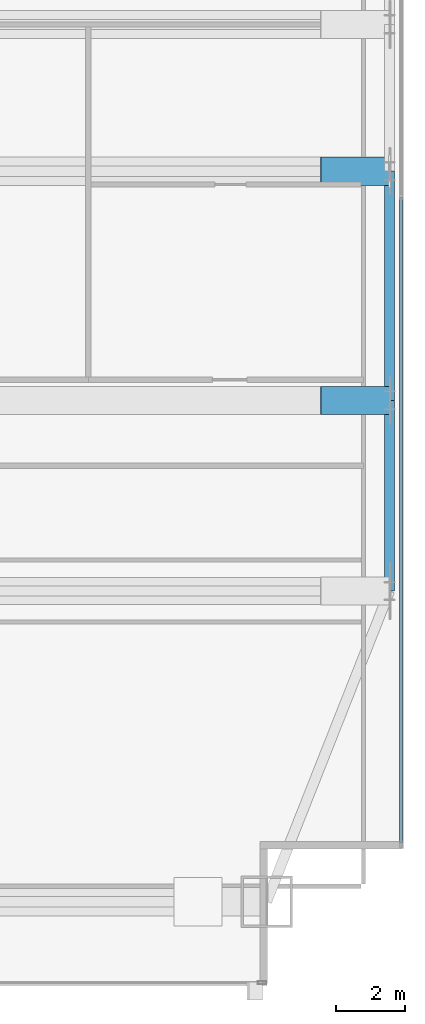
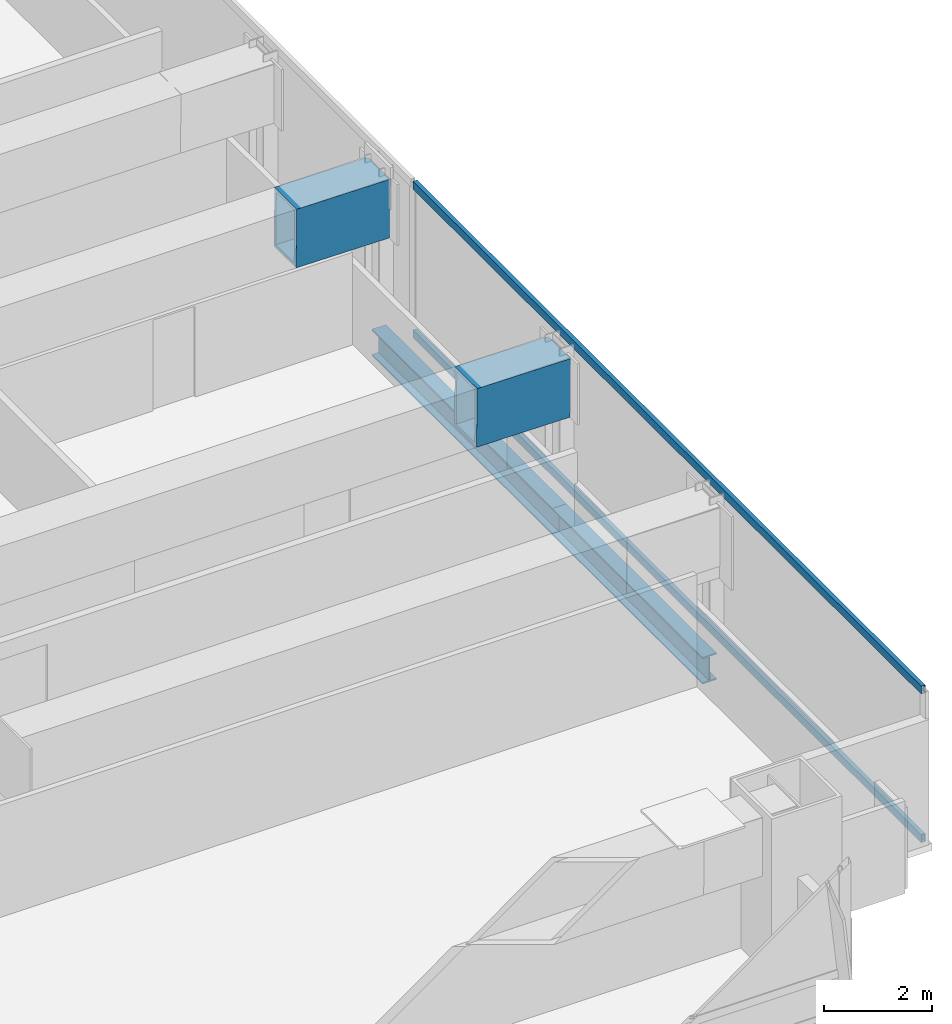
# One storey, part 20 of 30: 4 beams, 2 members, 1 element without a shape of its own.
"""IFC4 building model written with IfcOpenShell, lengths in metres."""

from ifc_helpers import new_model, si_unit, direction, frame, origin, origin_2d, place, context, subcontext, project, spatial, hollow_rectangle, i_section, extrude, material, material_profile, profile_set, type_object, element, aggregate, save


model = new_model("IFC4")

# Units and contexts
model_context = context("Model", 3, precision=1e-05, world=origin(), true_north=direction((0.0, 1.0)))
body_context = subcontext(model_context, "Body", "Model", "MODEL_VIEW")
ifc_project = project(units=[si_unit("LENGTHUNIT", "METRE"), si_unit("AREAUNIT", "SQUARE_METRE"), si_unit("VOLUMEUNIT", "CUBIC_METRE"), si_unit("PLANEANGLEUNIT", "RADIAN"), si_unit("MASSUNIT", "GRAM", prefix="KILO")], contexts=[model_context])

# Site, building, storey
site_placement = place(None, origin())
site = spatial("IfcSite", under=ifc_project, at=site_placement, CompositionType="ELEMENT")
building_placement = place(site_placement, origin())
building = spatial("IfcBuilding", under=site, at=building_placement, Name="Khoronbel Lancet Exchange", CompositionType="ELEMENT")
storey_placement = place(building_placement, frame((0.0, 0.0, 132.60009765625)))
storey = spatial("IfcBuildingStorey", under=building, at=storey_placement, Name="L32", CompositionType="ELEMENT", Elevation=132.60009765625)

# Beams
ifc_material_1 = material(Name="Steel S355", Category="steel")
ifc_material_profile_1 = material_profile(ifc_material_1, i_section(OverallWidth=0.300048828125, OverallDepth=0.60009765625, WebThickness=0.015380859375, FlangeThickness=0.030029296875, at=origin_2d()), Name="HEB 600")
ifc_profile_set_1 = profile_set([ifc_material_profile_1], Name="Steel S355")
beam_type_1 = type_object("IfcBeamType", Name="BM-BSP2", PredefinedType="SPANDREL", material=ifc_profile_set_1)
beam_1_placement = place(storey_placement, frame((69.6298828125, 19.199951171875, -0.460205078125), z_axis=(0.0, 1.0, 0.0), x_axis=(-1.0, 0.0, 0.0)))
element("IfcBeam", 1, at=beam_1_placement, inside=storey, type_object=beam_type_1, Name="Level L32 perimeter spandrel beam SP11", PredefinedType="SPANDREL", context=body_context, shape_type="SweptSolid", body=[
    extrude(i_section(OverallWidth=0.300048828125, OverallDepth=0.60009765625, WebThickness=0.015380859375, FlangeThickness=0.030029296875, at=origin_2d()), origin(), (0.0, 0.0, 1.0), 5.550048828125),
])
beam_2_placement = place(storey_placement, frame((69.6298828125, 24.75, -0.460205078125), z_axis=(0.0, 1.0, 0.0), x_axis=(-1.0, 0.0, 0.0)))
element("IfcBeam", 2, at=beam_2_placement, inside=storey, type_object=beam_type_1, Name="Level L32 perimeter spandrel beam SP12", PredefinedType="SPANDREL", context=body_context, shape_type="SweptSolid", body=[
    extrude(i_section(OverallWidth=0.300048828125, OverallDepth=0.60009765625, WebThickness=0.015380859375, FlangeThickness=0.030029296875, at=origin_2d()), origin(), (0.0, 0.0, 1.0), 6.675048828125),
])
ifc_material_2 = material(Name="Steel S460", Category="steel")
ifc_material_profile_2 = material_profile(ifc_material_2, hollow_rectangle(XDim=0.820068359375, YDim=1.320068359375, WallThickness=0.070068359375, at=origin_2d()), Name="BOX 820x1320x70")
ifc_profile_set_2 = profile_set([ifc_material_profile_2], Name="Steel S460")
beam_type_2 = type_object("IfcBeamType", Name="BM-TG4", PredefinedType="USERDEFINED", material=ifc_profile_set_2)
for number, where, z_axis, x_axis, name in (
    (3, (69.6298828125, 24.75, 2.760009765625), (-0.999951120325, 0.0, 0.009887212005), (0.0, -1.0, 0.0), "Setback transfer knee-brace girder L32-EC-2"),
    (4, (69.6298828125, 31.425048828125, 2.760009765625), (-0.999951120325, 0.0, 0.009887212005), (0.0, -1.0, 0.0), "Setback transfer knee-brace girder L32-EC-M"),
):
    element("IfcBeam", number, at=place(storey_placement, frame(where, z_axis=z_axis, x_axis=x_axis)), inside=storey, type_object=beam_type_2, Name=name, ObjectType="TRANSFER GIRDER", PredefinedType="USERDEFINED", context=body_context, shape_type="SweptSolid", body=[
        extrude(hollow_rectangle(XDim=0.820068359375, YDim=1.320068359375, WallThickness=0.070068359375, at=origin_2d()), origin(), (0.0, 0.0, 1.0), 2.0),
    ])

# Curtain wall, members
ifc_material_3 = material(Name="Low-E Solar Control Insulating Glass", Category="glass")
curtain_wall_type = type_object("IfcCurtainWallType", Name="CW-4", PredefinedType="NOTDEFINED", material=ifc_material_3)
curtain_wall_placement = place(storey_placement, origin())
curtain_wall = element("IfcCurtainWall", 5, at=curtain_wall_placement, inside=storey, type_object=curtain_wall_type, Name="Unitised curtain wall CW-L32-E09", PredefinedType="NOTDEFINED")
ifc_material_4 = material(Name="Bronze-Anodised Aluminium 6063-T6", Category="aluminium")
ifc_material_profile_3 = material_profile(ifc_material_4, hollow_rectangle(XDim=0.0849609375, YDim=0.179931640625, WallThickness=0.0048828125, at=origin_2d()), Name="ALU TRANSOM 85x180")
ifc_profile_set_3 = profile_set([ifc_material_profile_3], Name="Bronze-Anodised Aluminium 6063-T6")
member_type = type_object("IfcMemberType", Name="MEM-CWT1", PredefinedType="USERDEFINED", material=ifc_profile_set_3)
member_1_placement = place(storey_placement, frame((69.9599609375, 30.66259765625, 0.04248046875), z_axis=(0.0, -1.0, 0.0), x_axis=(1.0, 0.0, 0.0)))
member_1 = element("IfcMember", 6, at=member_1_placement, type_object=member_type, Name="CW4 transom 2.1", ObjectType="TRANSOM", PredefinedType="USERDEFINED", context=body_context, shape_type="SweptSolid", body=[
    extrude(hollow_rectangle(XDim=0.0849609375, YDim=0.179931640625, WallThickness=0.0048828125, at=origin_2d()), origin(), (0.0, 0.0, 1.0), 18.797607421875),
])
member_2_placement = place(storey_placement, frame((69.9599609375, 30.66259765625, 3.3974609375), z_axis=(0.0, -1.0, 0.0), x_axis=(1.0, 0.0, 0.0)))
member_2 = element("IfcMember", 7, at=member_2_placement, type_object=member_type, Name="CW4 transom 2.2", ObjectType="TRANSOM", PredefinedType="USERDEFINED", context=body_context, shape_type="SweptSolid", body=[
    extrude(hollow_rectangle(XDim=0.0849609375, YDim=0.179931640625, WallThickness=0.0048828125, at=origin_2d()), origin(), (0.0, 0.0, 1.0), 18.797607421875),
])
aggregate(curtain_wall, [member_1, member_2])

save(model, "model.ifc")
